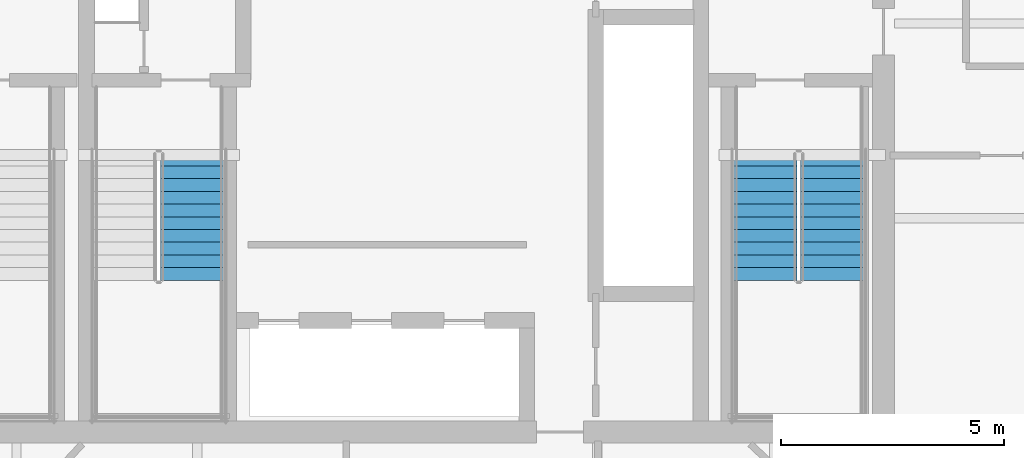
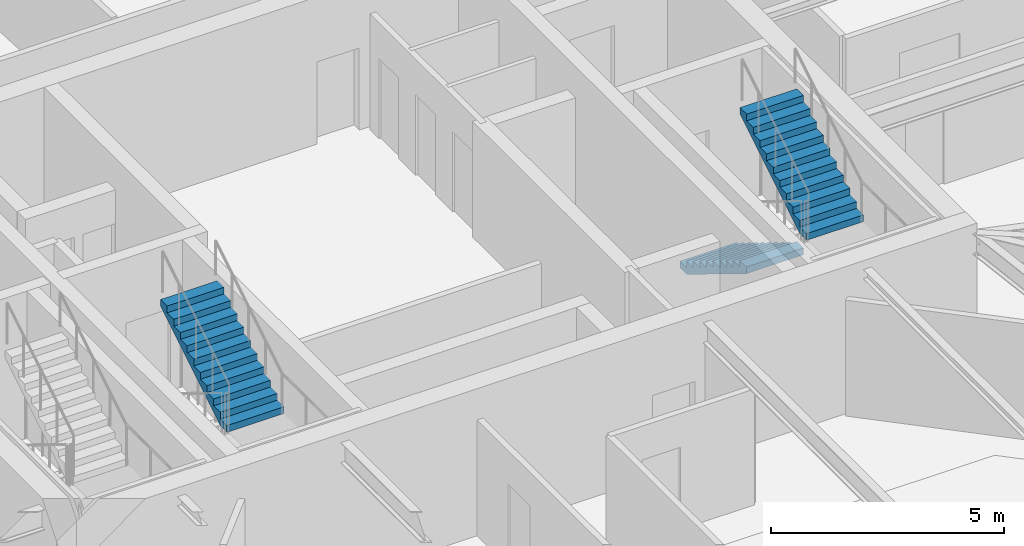
# One storey, part 17 of 20: 3 stair flights, 2 elements without a shape of their own.
"""IFC4 building model written with IfcOpenShell, lengths in metres."""

from ifc_helpers import new_model, si_unit, direction, frame, origin, place, context, subcontext, project, spatial, polyline, outline, extrude, material, type_object, element, aggregate, save


model = new_model("IFC4")

# Units and contexts
model_context = context("Model", 3, precision=1e-05, world=origin(), true_north=direction((0.0, 1.0)))
body_context = subcontext(model_context, "Body", "Model", "MODEL_VIEW")
ifc_project = project(units=[si_unit("LENGTHUNIT", "METRE"), si_unit("AREAUNIT", "SQUARE_METRE"), si_unit("VOLUMEUNIT", "CUBIC_METRE"), si_unit("PLANEANGLEUNIT", "RADIAN"), si_unit("MASSUNIT", "GRAM", prefix="KILO")], contexts=[model_context])

# Site, building, storey
site_placement = place(None, origin())
site = spatial("IfcSite", under=ifc_project, at=site_placement, CompositionType="ELEMENT")
building_placement = place(site_placement, origin())
building = spatial("IfcBuilding", under=site, at=building_placement, Name="Bramvorn Convention Spire", CompositionType="ELEMENT")
storey_placement = place(building_placement, frame((0.0, 0.0, 228.949951171875)))
storey = spatial("IfcBuildingStorey", under=building, at=storey_placement, Name="L58", CompositionType="ELEMENT", Elevation=228.949951171875)

# Stair, stair flights
ifc_material_1 = material(Name="Concrete C40/50 Precast Stair", Category="concrete")
stair_type = type_object("IfcStairType", Name="ST-TOWER-1550", PredefinedType="HALF_TURN_STAIR", material=ifc_material_1)
stair_1_placement = place(storey_placement, origin())
stair_1 = element("IfcStair", 1, at=stair_1_placement, inside=storey, type_object=stair_type, Name="L58 Protected Exit Stair ST2", PredefinedType="HALF_TURN_STAIR")
ifc_material_2 = material(Name="Concrete C40/50 Precast Stair Flight", Category="concrete")
stair_flight_type = type_object("IfcStairFlightType", Name="STF-TOWER-1550", PredefinedType="STRAIGHT", material=ifc_material_2)
stair_flight_1_placement = place(storey_placement, frame((46.35498046875, 25.050048828125, 0.0), z_axis=(0.0, 0.0, 1.0), x_axis=(0.0, -1.0, 0.0)))
stair_flight_1 = element("IfcStairFlight", 2, at=stair_flight_1_placement, type_object=stair_flight_type, Name="ST2 flight 1", NumberOfRisers=11, NumberOfTreads=10, PredefinedType="STRAIGHT", RiserHeight=0.175, TreadLength=0.285, context=body_context, shape_type="SweptSolid", body=[
    extrude(outline(polyline([(0.0, 0.0), (0.0, 0.175048828125), (0.284912109375, 0.175048828125), (0.284912109375, 0.35009765625), (0.570068359375, 0.35009765625), (0.570068359375, 0.52490234375), (0.85498046875, 0.52490234375), (0.85498046875, 0.699951171875), (1.139892578125, 0.699951171875), (1.139892578125, 0.875), (1.425048828125, 0.875), (1.425048828125, 1.050048828125), (1.7099609375, 1.050048828125), (1.7099609375, 1.22509765625), (1.9951171875, 1.22509765625), (1.9951171875, 1.39990234375), (2.280029296875, 1.39990234375), (2.280029296875, 1.574951171875), (2.56494140625, 1.574951171875), (2.56494140625, 1.75), (2.85009765625, 1.75), (2.85009765625, 1.925048828125), (2.85009765625, 1.573974609375), (0.286376953125, 0.0), (0.0, 0.0)])), frame((0.0, 0.705078125, 0.0), z_axis=(0.0, -1.0, 0.0), x_axis=(1.0, 0.0, 0.0)), (0.0, 0.0, 1.0), 1.409912109375),
])
stair_flight_2_placement = place(storey_placement, frame((47.844970703125, 22.199951171875, 1.925048828125), z_axis=(0.0, 0.0, 1.0), x_axis=(0.0, 1.0, 0.0)))
stair_flight_2 = element("IfcStairFlight", 3, at=stair_flight_2_placement, type_object=stair_flight_type, Name="ST2 flight 2", NumberOfRisers=11, NumberOfTreads=10, PredefinedType="STRAIGHT", RiserHeight=0.175, TreadLength=0.285, context=body_context, shape_type="SweptSolid", body=[
    extrude(outline(polyline([(0.0, 0.0), (0.0, 0.175048828125), (0.284912109375, 0.175048828125), (0.284912109375, 0.35009765625), (0.570068359375, 0.35009765625), (0.570068359375, 0.52490234375), (0.85498046875, 0.52490234375), (0.85498046875, 0.699951171875), (1.139892578125, 0.699951171875), (1.139892578125, 0.875), (1.425048828125, 0.875), (1.425048828125, 1.050048828125), (1.7099609375, 1.050048828125), (1.7099609375, 1.22509765625), (1.9951171875, 1.22509765625), (1.9951171875, 1.39990234375), (2.280029296875, 1.39990234375), (2.280029296875, 1.574951171875), (2.56494140625, 1.574951171875), (2.56494140625, 1.75), (2.85009765625, 1.75), (2.85009765625, 1.925048828125), (2.85009765625, 1.573974609375), (0.286376953125, 0.0), (0.0, 0.0)])), frame((0.0, 0.705078125, 0.0), z_axis=(0.0, -1.0, 0.0), x_axis=(1.0, 0.0, 0.0)), (0.0, 0.0, 1.0), 1.409912109375),
])
aggregate(stair_1, [stair_flight_1, stair_flight_2])

# Stair, stair flight
stair_2_placement = place(storey_placement, origin())
stair_2 = element("IfcStair", 4, at=stair_2_placement, inside=storey, type_object=stair_type, Name="L58 Protected Exit Stair ST3", PredefinedType="HALF_TURN_STAIR")
stair_flight_3_placement = place(storey_placement, frame((33.4951171875, 22.199951171875, 1.925048828125), z_axis=(0.0, 0.0, 1.0), x_axis=(0.0, 1.0, 0.0)))
stair_flight_3 = element("IfcStairFlight", 5, at=stair_flight_3_placement, type_object=stair_flight_type, Name="ST3 flight 2", NumberOfRisers=11, NumberOfTreads=10, PredefinedType="STRAIGHT", RiserHeight=0.175, TreadLength=0.285, context=body_context, shape_type="SweptSolid", body=[
    extrude(outline(polyline([(0.0, 0.0), (0.0, 0.175048828125), (0.284912109375, 0.175048828125), (0.284912109375, 0.35009765625), (0.570068359375, 0.35009765625), (0.570068359375, 0.52490234375), (0.85498046875, 0.52490234375), (0.85498046875, 0.699951171875), (1.139892578125, 0.699951171875), (1.139892578125, 0.875), (1.425048828125, 0.875), (1.425048828125, 1.050048828125), (1.7099609375, 1.050048828125), (1.7099609375, 1.22509765625), (1.9951171875, 1.22509765625), (1.9951171875, 1.39990234375), (2.280029296875, 1.39990234375), (2.280029296875, 1.574951171875), (2.56494140625, 1.574951171875), (2.56494140625, 1.75), (2.85009765625, 1.75), (2.85009765625, 1.925048828125), (2.85009765625, 1.573974609375), (0.286376953125, 0.0), (0.0, 0.0)])), frame((0.0, 0.705078125, 0.0), z_axis=(0.0, -1.0, 0.0), x_axis=(1.0, 0.0, 0.0)), (0.0, 0.0, 1.0), 1.409912109375),
])
aggregate(stair_2, [stair_flight_3])

save(model, "model.ifc")
